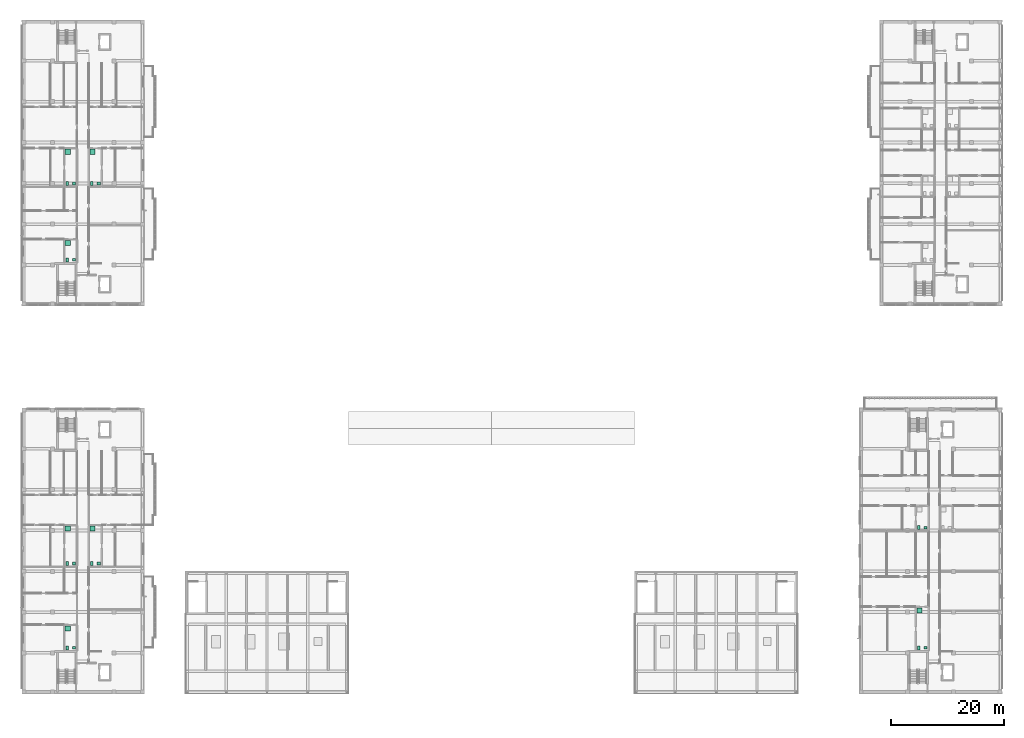
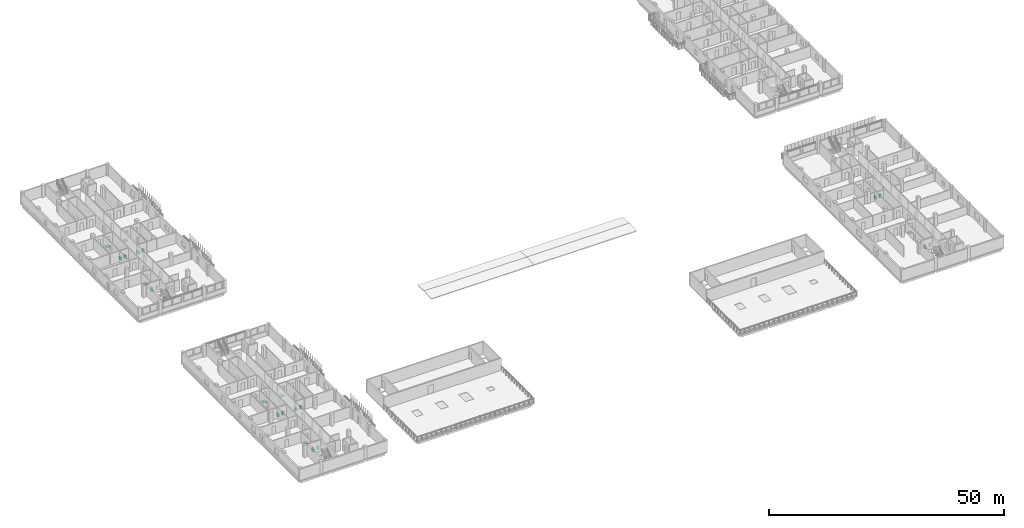
# One storey, part 55 of 56: 23 sanitary terminals.
"""IFC4 building model written with IfcOpenShell, lengths in metres."""

from ifc_helpers import new_model, si_unit, derived_unit, direction, frame, origin, origin_2d, place, context, subcontext, project, spatial, rectangle, extrude, material, type_object, element, save


model = new_model("IFC4")

# Units and contexts
model_context = context("Model", 3, precision=1e-05, world=origin(), true_north=direction((0.0, 1.0)))
body_context = subcontext(model_context, "Body", "Model", "MODEL_VIEW")
ifc_project = project(units=[si_unit("LENGTHUNIT", "METRE"), si_unit("AREAUNIT", "SQUARE_METRE"), si_unit("VOLUMEUNIT", "CUBIC_METRE"), si_unit("PLANEANGLEUNIT", "RADIAN"), si_unit("MASSUNIT", "GRAM", prefix="KILO"), derived_unit("THERMALTRANSMITTANCEUNIT", [(si_unit("MASSUNIT", "GRAM", prefix="KILO"), 1), (si_unit("TIMEUNIT", "SECOND"), -3), (si_unit("THERMODYNAMICTEMPERATUREUNIT", "KELVIN"), -1)])], contexts=[model_context])

# Site, building, storey
site_placement = place(None, origin())
site = spatial("IfcSite", under=ifc_project, at=site_placement, CompositionType="ELEMENT")
building_placement = place(site_placement, origin())
building = spatial("IfcBuilding", under=site, at=building_placement, Name="Ochrekiln Boulevard Commons", CompositionType="ELEMENT")
storey_placement = place(building_placement, frame((0.0, 0.0, 12.074951171875)))
storey = spatial("IfcBuildingStorey", under=building, at=storey_placement, Name="L03", CompositionType="ELEMENT", Elevation=12.074951171875)

# Sanitary terminals
ifc_material = material(Name="Vitreous china sanitaryware")
sanitary_terminal_type_1 = type_object("IfcSanitaryTerminalType", Name="SAN-BAS", PredefinedType="WASHHANDBASIN", material=ifc_material)
for number, where, z_axis, x_axis, name in (
    (1, (9.169921875, 76.5, 0.0), (0.0, 0.0, 1.0), (1.0, 0.0, 0.0), "L03 Washhand Basin Fixture"),
    (2, (9.169921875, 89.966064453125, 0.0), (0.0, 0.0, 1.0), (1.0, 0.0, 0.0), "L03 Washhand Basin Fixture"),
    (3, (13.530029296875, 89.966064453125, 0.0), (0.0, 0.0, 1.0), (1.0, 0.0, 0.0), "L03 Washhand Basin Fixture"),
    (4, (159.320068359375, 8.10009765625, 0.0), (0.0, 0.0, 1.0), (1.0, 0.0, 0.0), "L03 Washhand Basin Fixture"),
    (5, (159.320068359375, 29.31005859375, 0.0), (0.0, 0.0, 1.0), (1.0, 0.0, 0.0), "L03 Washhand Basin Fixture"),
    (6, (9.169921875, 8.10009765625, 0.0), (0.0, 0.0, 1.0), (1.0, 0.0, 0.0), "L03 Washhand Basin Fixture"),
    (7, (9.169921875, 22.97412109375, 0.0), (0.0, 0.0, 1.0), (1.0, 0.0, 0.0), "L03 Washhand Basin Fixture"),
    (8, (13.530029296875, 22.97412109375, 0.0), (0.0, 0.0, 1.0), (1.0, 0.0, 0.0), "L03 Washhand Basin Fixture"),
):
    element("IfcSanitaryTerminal", number, at=place(storey_placement, frame(where, z_axis=z_axis, x_axis=x_axis)), inside=storey, type_object=sanitary_terminal_type_1, Name=name, PredefinedType="WASHHANDBASIN", context=body_context, shape_type="SweptSolid", body=[
        extrude(rectangle(XDim=0.550048828125, YDim=0.4599609375, at=origin_2d()), origin(), (0.0, 0.0, 1.0), 0.840087890625),
    ])
sanitary_terminal_type_2 = type_object("IfcSanitaryTerminalType", Name="SAN-SHW", PredefinedType="SHOWER", material=ifc_material)
for number, where, z_axis, x_axis, name in (
    (9, (8.070068359375, 79.489013671875, 0.0), (0.0, 0.0, 1.0), (1.0, 0.0, 0.0), "L03 Shower Receptor"),
    (10, (8.070068359375, 95.573974609375, 0.0), (0.0, 0.0, 1.0), (1.0, 0.0, 0.0), "L03 Shower Receptor"),
    (11, (12.429931640625, 95.573974609375, 0.0), (0.0, 0.0, 1.0), (1.0, 0.0, 0.0), "L03 Shower Receptor"),
    (12, (158.219970703125, 14.719970703125, 0.0), (0.0, 0.0, 1.0), (1.0, 0.0, 0.0), "L03 Shower Receptor"),
    (13, (8.070068359375, 11.52490234375, 0.0), (0.0, 0.0, 1.0), (1.0, 0.0, 0.0), "L03 Shower Receptor"),
    (14, (8.070068359375, 29.1201171875, 0.0), (0.0, 0.0, 1.0), (1.0, 0.0, 0.0), "L03 Shower Receptor"),
    (15, (12.429931640625, 29.1201171875, 0.0), (0.0, 0.0, 1.0), (1.0, 0.0, 0.0), "L03 Shower Receptor"),
):
    element("IfcSanitaryTerminal", number, at=place(storey_placement, frame(where, z_axis=z_axis, x_axis=x_axis)), inside=storey, type_object=sanitary_terminal_type_2, Name=name, PredefinedType="SHOWER", context=body_context, shape_type="SweptSolid", body=[
        extrude(rectangle(XDim=0.89990234375, YDim=0.89990234375, at=origin_2d()), origin(), (0.0, 0.0, 1.0), 0.1201171875),
    ])
sanitary_terminal_type_3 = type_object("IfcSanitaryTerminalType", Name="SAN-WC", PredefinedType="TOILETPAN", material=ifc_material)
for number, where, z_axis, x_axis, name in (
    (16, (7.969970703125, 76.5, 0.0), (0.0, 0.0, 1.0), (1.0, 0.0, 0.0), "L03 Water Closet Fixture"),
    (17, (7.969970703125, 89.966064453125, 0.0), (0.0, 0.0, 1.0), (1.0, 0.0, 0.0), "L03 Water Closet Fixture"),
    (18, (12.330078125, 89.966064453125, 0.0), (0.0, 0.0, 1.0), (1.0, 0.0, 0.0), "L03 Water Closet Fixture"),
    (19, (158.1201171875, 8.10009765625, 0.0), (0.0, 0.0, 1.0), (1.0, 0.0, 0.0), "L03 Water Closet Fixture"),
    (20, (158.1201171875, 29.31005859375, 0.0), (0.0, 0.0, 1.0), (1.0, 0.0, 0.0), "L03 Water Closet Fixture"),
    (21, (7.969970703125, 8.10009765625, 0.0), (0.0, 0.0, 1.0), (1.0, 0.0, 0.0), "L03 Water Closet Fixture"),
    (22, (7.969970703125, 22.97412109375, 0.0), (0.0, 0.0, 1.0), (1.0, 0.0, 0.0), "L03 Water Closet Fixture"),
    (23, (12.330078125, 22.97412109375, 0.0), (0.0, 0.0, 1.0), (1.0, 0.0, 0.0), "L03 Water Closet Fixture"),
):
    element("IfcSanitaryTerminal", number, at=place(storey_placement, frame(where, z_axis=z_axis, x_axis=x_axis)), inside=storey, type_object=sanitary_terminal_type_3, Name=name, PredefinedType="TOILETPAN", context=body_context, shape_type="SweptSolid", body=[
        extrude(rectangle(XDim=0.419921875, YDim=0.679931640625, at=origin_2d()), origin(), (0.0, 0.0, 1.0), 0.780029296875),
    ])

save(model, "model.ifc")
